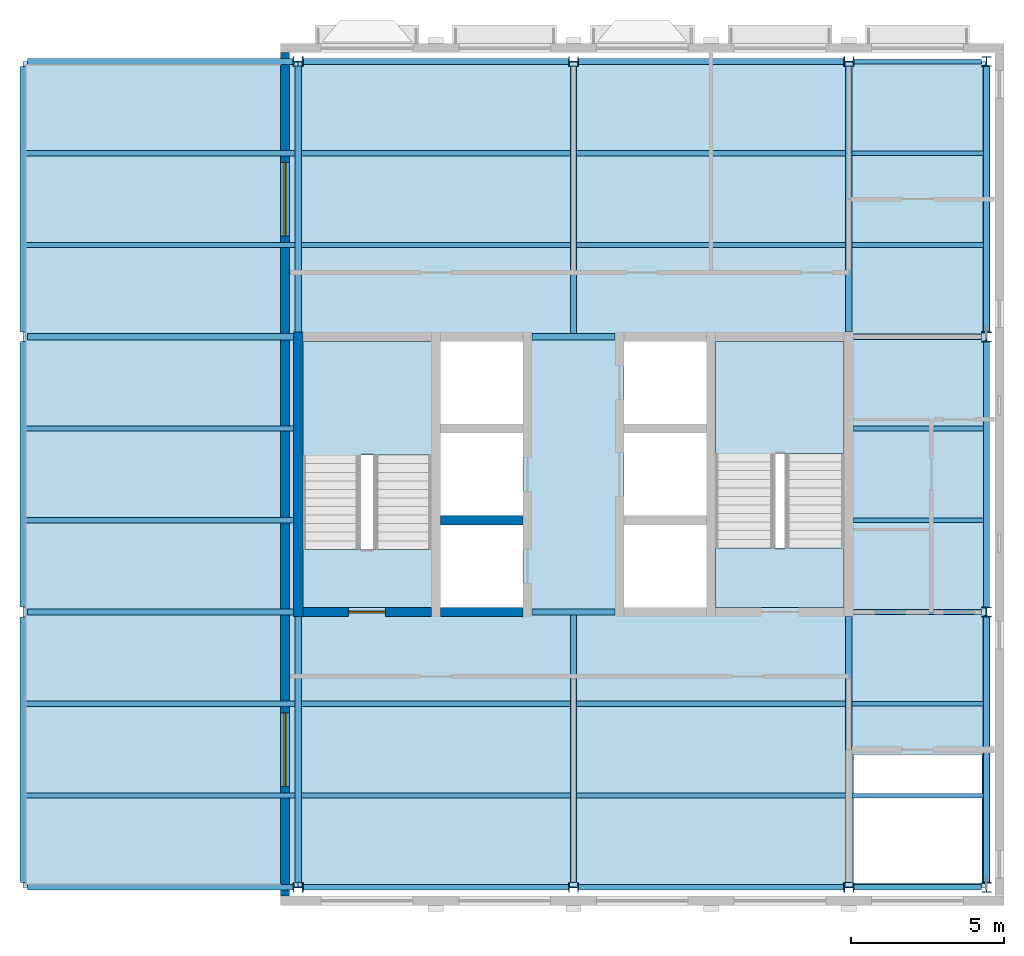
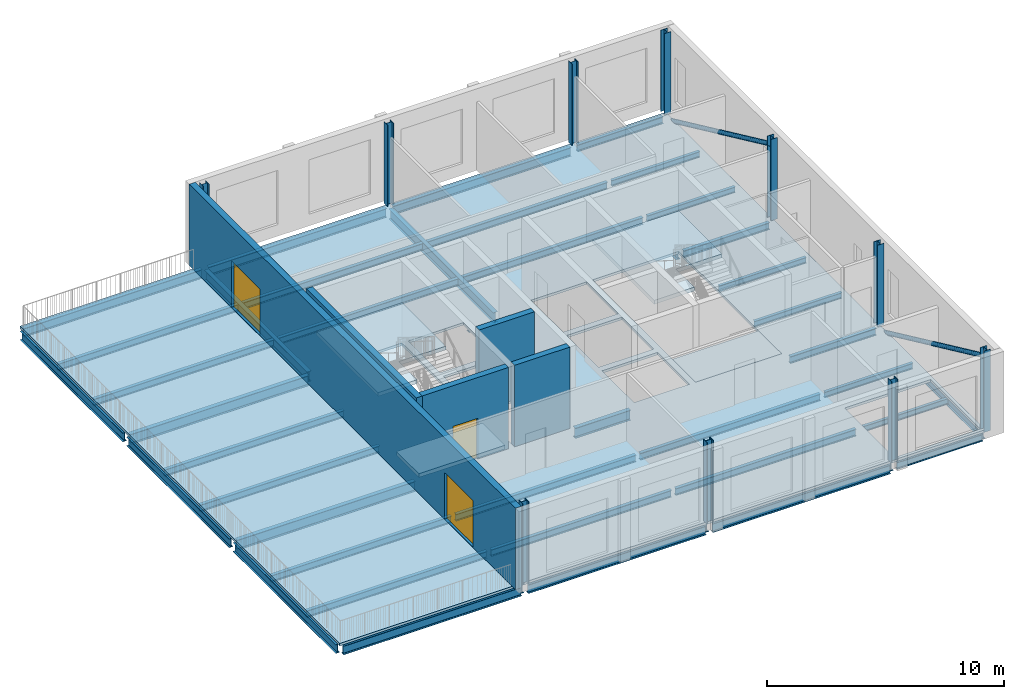
# One storey, part 1 of 7: 46 beams, 10 columns, 6 slabs, 5 walls, 3 doors, 2 members, 3 openings, 2 elements without a shape of their own.
"""IFC4 building model written with IfcOpenShell, lengths in metres."""

from ifc_helpers import new_model, si_unit, direction, frame, frame_2d, origin, origin_2d, place, context, subcontext, project, spatial, polyline, rectangle, hollow_circle, i_section, outline, extrude, material, layer, layer_set, material_profile, profile_set, type_object, element, fill, aggregate, save


model = new_model("IFC4")

# Units and contexts
model_context = context("Model", 3, precision=1e-05, world=origin(), true_north=direction((0.0, 1.0)))
body_context = subcontext(model_context, "Body", "Model", "MODEL_VIEW")
ifc_project = project(units=[si_unit("LENGTHUNIT", "METRE"), si_unit("AREAUNIT", "SQUARE_METRE"), si_unit("VOLUMEUNIT", "CUBIC_METRE"), si_unit("PLANEANGLEUNIT", "RADIAN"), si_unit("MASSUNIT", "GRAM", prefix="KILO")], contexts=[model_context])

# Site, building, storey
site_placement = place(None, origin())
site = spatial("IfcSite", under=ifc_project, at=site_placement, CompositionType="ELEMENT")
building_placement = place(site_placement, origin())
building = spatial("IfcBuilding", under=site, at=building_placement, Name="Hortulan Conservatory and Botanical Research Centre", CompositionType="ELEMENT")
storey_placement = place(building_placement, frame((0.0, 0.0, 61.199951171875)))
storey = spatial("IfcBuildingStorey", under=building, at=storey_placement, Name="L14", CompositionType="ELEMENT", Elevation=61.199951171875)

# Columns
ifc_material_1 = material(Name="Steel Grade 300PLUS (AS/NZS 3679.1, 280 MPa minimum yield)", Category="steel")
ifc_material_profile_1 = material_profile(ifc_material_1, i_section(OverallWidth=0.30908203125, OverallDepth=0.321044921875, WebThickness=0.013916015625, FlangeThickness=0.021728515625, FilletRadius=0.0166015625, at=origin_2d()), Name="310UC137")
ifc_profile_set_1 = profile_set([ifc_material_profile_1], Name="Steel Grade 300PLUS (AS/NZS 3679.1, 280 MPa minimum yield)")
column_type = type_object("IfcColumnType", Name="Tower Column 310UC137", PredefinedType="COLUMN", material=ifc_profile_set_1)
for number, where, z_axis, x_axis, name in (
    (1, (9.0, 0.0, 0.0), (0.0, 0.0, 1.0), (0.0, 1.0, 0.0), "310UC137 column"),
    (2, (9.0, 27.0, 0.0), (0.0, 0.0, 1.0), (0.0, 1.0, 0.0), "310UC137 column"),
    (3, (18.0, 0.0, 0.0), (0.0, 0.0, 1.0), (0.0, 1.0, 0.0), "310UC137 column"),
    (4, (18.0, 27.0, 0.0), (0.0, 0.0, 1.0), (0.0, 1.0, 0.0), "310UC137 column"),
    (5, (27.0, 0.0, 0.0), (0.0, 0.0, 1.0), (0.0, 1.0, 0.0), "310UC137 column"),
    (6, (27.0, 27.0, 0.0), (0.0, 0.0, 1.0), (0.0, 1.0, 0.0), "310UC137 column"),
    (7, (31.5, 0.0, 0.0), (0.0, 0.0, 1.0), (1.0, 0.0, 0.0), "310UC137 column"),
    (8, (31.5, 9.0, 0.0), (0.0, 0.0, 1.0), (1.0, 0.0, 0.0), "310UC137 column"),
    (9, (31.5, 18.0, 0.0), (0.0, 0.0, 1.0), (1.0, 0.0, 0.0), "310UC137 column"),
    (10, (31.5, 27.0, 0.0), (0.0, 0.0, 1.0), (1.0, 0.0, 0.0), "310UC137 column"),
):
    element("IfcColumn", number, at=place(storey_placement, frame(where, z_axis=z_axis, x_axis=x_axis)), inside=storey, type_object=column_type, Name=name, PredefinedType="COLUMN", context=body_context, shape_type="SweptSolid", body=[
        extrude(i_section(OverallWidth=0.30908203125, OverallDepth=0.321044921875, WebThickness=0.013916015625, FlangeThickness=0.021728515625, FilletRadius=0.0166015625, at=origin_2d()), origin(), (0.0, 0.0, 1.0), 4.199951171875),
    ])

# Members
ifc_material_2 = material(Name="Steel Grade C350L0 (350 MPa, AS/NZS 1163)", Category="steel")
ifc_material_profile_2 = material_profile(ifc_material_2, hollow_circle(Radius=0.109619140625, WallThickness=0.00830078125, at=origin_2d()), Name="219.1x8.2CHS")
ifc_profile_set_2 = profile_set([ifc_material_profile_2], Name="Steel Grade C350L0 (350 MPa, AS/NZS 1163)")
member_type = type_object("IfcMemberType", Name="Brace 219.1x8.2CHS", PredefinedType="BRACE", material=ifc_profile_set_2)
for number, where, z_axis, x_axis, name in (
    (11, (31.5, 8.839599609375, -0.2841796875), (0.0, -0.907557726356, 0.41992734292), (1.0, 0.0, 0.0), "219.1x8.2CHS brace"),
    (12, (31.5, 26.839599609375, -0.2841796875), (0.0, -0.907557726356, 0.41992734292), (1.0, 0.0, 0.0), "219.1x8.2CHS brace"),
):
    element("IfcMember", number, at=place(storey_placement, frame(where, z_axis=z_axis, x_axis=x_axis)), inside=storey, type_object=member_type, Name=name, PredefinedType="BRACE", context=body_context, shape_type="SweptSolid", body=[
        extrude(hollow_circle(Radius=0.109619140625, WallThickness=0.00830078125, at=origin_2d()), origin(), (0.0, 0.0, 1.0), 9.563232421875),
    ])

# Beams
ifc_material_profile_3 = material_profile(ifc_material_1, i_section(OverallWidth=0.1708984375, OverallDepth=0.35595703125, WebThickness=0.00732421875, FlangeThickness=0.011474609375, FilletRadius=0.011474609375, at=origin_2d()), Name="360UB50.7")
ifc_profile_set_3 = profile_set([ifc_material_profile_3], Name="Steel Grade 300PLUS (AS/NZS 3679.1, 280 MPa minimum yield)")
beam_type_1 = type_object("IfcBeamType", Name="Primary Beam 360UB50.7", PredefinedType="BEAM", material=ifc_profile_set_3)
for number, where, z_axis, x_axis, name in (
    (13, (27.160400390625, 0.0, -0.307861328125), (1.0, 0.0, 0.0), (0.0, 1.0, 0.0), "360UB50.7 girder"),
    (14, (27.160400390625, 27.0, -0.307861328125), (1.0, 0.0, 0.0), (0.0, 1.0, 0.0), "360UB50.7 girder"),
):
    element("IfcBeam", number, at=place(storey_placement, frame(where, z_axis=z_axis, x_axis=x_axis)), inside=storey, type_object=beam_type_1, Name=name, PredefinedType="BEAM", context=body_context, shape_type="SweptSolid", body=[
        extrude(i_section(OverallWidth=0.1708984375, OverallDepth=0.35595703125, WebThickness=0.00732421875, FlangeThickness=0.011474609375, FilletRadius=0.011474609375, at=origin_2d()), origin(), (0.0, 0.0, 1.0), 4.18505859375),
    ])
for number, where, z_axis, x_axis, name in (
    (15, (27.14990234375, 9.0, -0.307861328125), (1.0, 0.0, 0.0), (0.0, 1.0, 0.0), "360UB50.7 girder"),
    (16, (27.14990234375, 18.0, -0.307861328125), (1.0, 0.0, 0.0), (0.0, 1.0, 0.0), "360UB50.7 girder"),
):
    element("IfcBeam", number, at=place(storey_placement, frame(where, z_axis=z_axis, x_axis=x_axis)), inside=storey, type_object=beam_type_1, Name=name, PredefinedType="BEAM", context=body_context, shape_type="SweptSolid", body=[
        extrude(i_section(OverallWidth=0.1708984375, OverallDepth=0.35595703125, WebThickness=0.00732421875, FlangeThickness=0.011474609375, FilletRadius=0.011474609375, at=origin_2d()), origin(), (0.0, 0.0, 1.0), 4.195556640625),
    ])
ifc_material_profile_4 = material_profile(ifc_material_1, i_section(OverallWidth=0.18994140625, OverallDepth=0.45703125, WebThickness=0.009033203125, FlangeThickness=0.014404296875, FilletRadius=0.011474609375, at=origin_2d()), Name="460UB74.6")
ifc_profile_set_4 = profile_set([ifc_material_profile_4], Name="Steel Grade 300PLUS (AS/NZS 3679.1, 280 MPa minimum yield)")
beam_type_2 = type_object("IfcBeamType", Name="Primary Beam 460UB74.6", PredefinedType="BEAM", material=ifc_profile_set_4)
beam_1_placement = place(storey_placement, frame((0.0, 0.160400390625, -0.3583984375), z_axis=(0.0, 1.0, 0.0), x_axis=(-1.0, 0.0, 0.0)))
element("IfcBeam", 17, at=beam_1_placement, inside=storey, type_object=beam_type_2, Name="460UB74.6 girder", PredefinedType="BEAM", context=body_context, shape_type="SweptSolid", body=[
    extrude(i_section(OverallWidth=0.18994140625, OverallDepth=0.45703125, WebThickness=0.009033203125, FlangeThickness=0.014404296875, FilletRadius=0.011474609375, at=origin_2d()), origin(), (0.0, 0.0, 1.0), 8.67919921875),
])
beam_2_placement = place(storey_placement, frame((0.154541015625, 0.0, -0.3583984375), z_axis=(1.0, 0.0, 0.0), x_axis=(0.0, 1.0, 0.0)))
element("IfcBeam", 18, at=beam_2_placement, inside=storey, type_object=beam_type_2, Name="460UB74.6 girder", PredefinedType="BEAM", context=body_context, shape_type="SweptSolid", body=[
    extrude(i_section(OverallWidth=0.18994140625, OverallDepth=0.45703125, WebThickness=0.009033203125, FlangeThickness=0.014404296875, FilletRadius=0.011474609375, at=origin_2d()), origin(), (0.0, 0.0, 1.0), 8.68505859375),
])
for number, where, z_axis, x_axis, name in (
    (19, (0.0, 9.160400390625, -0.3583984375), (0.0, 1.0, 0.0), (-1.0, 0.0, 0.0), "460UB74.6 girder"),
    (20, (0.0, 18.160400390625, -0.3583984375), (0.0, 1.0, 0.0), (-1.0, 0.0, 0.0), "460UB74.6 girder"),
):
    element("IfcBeam", number, at=place(storey_placement, frame(where, z_axis=z_axis, x_axis=x_axis)), inside=storey, type_object=beam_type_2, Name=name, PredefinedType="BEAM", context=body_context, shape_type="SweptSolid", body=[
        extrude(i_section(OverallWidth=0.18994140625, OverallDepth=0.45703125, WebThickness=0.009033203125, FlangeThickness=0.014404296875, FilletRadius=0.011474609375, at=origin_2d()), origin(), (0.0, 0.0, 1.0), 8.67919921875),
    ])
beam_3_placement = place(storey_placement, frame((0.154541015625, 27.0, -0.3583984375), z_axis=(1.0, 0.0, 0.0), x_axis=(0.0, 1.0, 0.0)))
element("IfcBeam", 21, at=beam_3_placement, inside=storey, type_object=beam_type_2, Name="460UB74.6 girder", PredefinedType="BEAM", context=body_context, shape_type="SweptSolid", body=[
    extrude(i_section(OverallWidth=0.18994140625, OverallDepth=0.45703125, WebThickness=0.009033203125, FlangeThickness=0.014404296875, FilletRadius=0.011474609375, at=origin_2d()), origin(), (0.0, 0.0, 1.0), 8.68505859375),
])
for number, where, z_axis, x_axis, name in (
    (22, (9.160400390625, 0.0, -0.3583984375), (1.0, 0.0, 0.0), (0.0, 1.0, 0.0), "460UB74.6 girder"),
    (23, (9.160400390625, 27.0, -0.3583984375), (1.0, 0.0, 0.0), (0.0, 1.0, 0.0), "460UB74.6 girder"),
    (24, (18.160400390625, 0.0, -0.3583984375), (1.0, 0.0, 0.0), (0.0, 1.0, 0.0), "460UB74.6 girder"),
    (25, (18.160400390625, 27.0, -0.3583984375), (1.0, 0.0, 0.0), (0.0, 1.0, 0.0), "460UB74.6 girder"),
    (26, (31.5, 0.160400390625, -0.3583984375), (0.0, 1.0, 0.0), (-1.0, 0.0, 0.0), "460UB74.6 girder"),
    (27, (31.5, 9.160400390625, -0.3583984375), (0.0, 1.0, 0.0), (-1.0, 0.0, 0.0), "460UB74.6 girder"),
    (28, (31.5, 18.160400390625, -0.3583984375), (0.0, 1.0, 0.0), (-1.0, 0.0, 0.0), "460UB74.6 girder"),
):
    element("IfcBeam", number, at=place(storey_placement, frame(where, z_axis=z_axis, x_axis=x_axis)), inside=storey, type_object=beam_type_2, Name=name, PredefinedType="BEAM", context=body_context, shape_type="SweptSolid", body=[
        extrude(i_section(OverallWidth=0.18994140625, OverallDepth=0.45703125, WebThickness=0.009033203125, FlangeThickness=0.014404296875, FilletRadius=0.011474609375, at=origin_2d()), origin(), (0.0, 0.0, 1.0), 8.67919921875),
    ])
ifc_material_profile_5 = material_profile(ifc_material_1, i_section(OverallWidth=0.208984375, OverallDepth=0.528076171875, WebThickness=0.009521484375, FlangeThickness=0.01318359375, FilletRadius=0.013916015625, at=origin_2d()), Name="530UB82.0")
ifc_profile_set_5 = profile_set([ifc_material_profile_5], Name="Steel Grade 300PLUS (AS/NZS 3679.1, 280 MPa minimum yield)")
beam_type_3 = type_object("IfcBeamType", Name="Primary Beam 530UB82.0", PredefinedType="BEAM", material=ifc_profile_set_5)
for number, where, z_axis, x_axis, name in (
    (29, (0.154541015625, 9.0, -0.39404296875), (1.0, 0.0, 0.0), (0.0, 1.0, 0.0), "530UB82.0 girder"),
    (30, (0.154541015625, 18.0, -0.39404296875), (1.0, 0.0, 0.0), (0.0, 1.0, 0.0), "530UB82.0 girder"),
    (31, (9.0, 0.154541015625, -0.39404296875), (0.0, 1.0, 0.0), (-1.0, 0.0, 0.0), "530UB82.0 girder"),
    (32, (9.0, 18.14990234375, -0.39404296875), (0.0, 1.0, 0.0), (-1.0, 0.0, 0.0), "530UB82.0 girder"),
):
    element("IfcBeam", number, at=place(storey_placement, frame(where, z_axis=z_axis, x_axis=x_axis)), inside=storey, type_object=beam_type_3, Name=name, PredefinedType="BEAM", context=body_context, shape_type="SweptSolid", body=[
        extrude(i_section(OverallWidth=0.208984375, OverallDepth=0.528076171875, WebThickness=0.009521484375, FlangeThickness=0.01318359375, FilletRadius=0.013916015625, at=origin_2d()), origin(), (0.0, 0.0, 1.0), 8.695556640625),
    ])
for number, where, z_axis, x_axis, name in (
    (33, (16.64990234375, 9.0, -0.39404296875), (1.0, 0.0, 0.0), (0.0, 1.0, 0.0), "530UB82.0 girder"),
    (34, (16.64990234375, 18.0, -0.39404296875), (1.0, 0.0, 0.0), (0.0, 1.0, 0.0), "530UB82.0 girder"),
):
    element("IfcBeam", number, at=place(storey_placement, frame(where, z_axis=z_axis, x_axis=x_axis)), inside=storey, type_object=beam_type_3, Name=name, PredefinedType="BEAM", context=body_context, shape_type="SweptSolid", body=[
        extrude(i_section(OverallWidth=0.208984375, OverallDepth=0.528076171875, WebThickness=0.009521484375, FlangeThickness=0.01318359375, FilletRadius=0.013916015625, at=origin_2d()), origin(), (0.0, 0.0, 1.0), 2.7001953125),
    ])
for number, where, z_axis, x_axis, name in (
    (35, (18.0, 0.154541015625, -0.39404296875), (0.0, 1.0, 0.0), (-1.0, 0.0, 0.0), "530UB82.0 girder"),
    (36, (18.0, 18.0, -0.39404296875), (0.0, 1.0, 0.0), (-1.0, 0.0, 0.0), "530UB82.0 girder"),
):
    element("IfcBeam", number, at=place(storey_placement, frame(where, z_axis=z_axis, x_axis=x_axis)), inside=storey, type_object=beam_type_3, Name=name, PredefinedType="BEAM", context=body_context, shape_type="SweptSolid", body=[
        extrude(i_section(OverallWidth=0.208984375, OverallDepth=0.528076171875, WebThickness=0.009521484375, FlangeThickness=0.01318359375, FilletRadius=0.013916015625, at=origin_2d()), origin(), (0.0, 0.0, 1.0), 8.845458984375),
    ])
for number, where, z_axis, x_axis, name in (
    (37, (27.0, 0.154541015625, -0.39404296875), (0.0, 1.0, 0.0), (-1.0, 0.0, 0.0), "530UB82.0 girder"),
    (38, (27.0, 18.14990234375, -0.39404296875), (0.0, 1.0, 0.0), (-1.0, 0.0, 0.0), "530UB82.0 girder"),
):
    element("IfcBeam", number, at=place(storey_placement, frame(where, z_axis=z_axis, x_axis=x_axis)), inside=storey, type_object=beam_type_3, Name=name, PredefinedType="BEAM", context=body_context, shape_type="SweptSolid", body=[
        extrude(i_section(OverallWidth=0.208984375, OverallDepth=0.528076171875, WebThickness=0.009521484375, FlangeThickness=0.01318359375, FilletRadius=0.013916015625, at=origin_2d()), origin(), (0.0, 0.0, 1.0), 8.695556640625),
    ])
ifc_material_profile_6 = material_profile(ifc_material_1, i_section(OverallWidth=0.14892578125, OverallDepth=0.298095703125, WebThickness=0.005615234375, FlangeThickness=0.008056640625, FilletRadius=0.012939453125, at=origin_2d()), Name="310UB32.0")
ifc_profile_set_6 = profile_set([ifc_material_profile_6], Name="Steel Grade 300PLUS (AS/NZS 3679.1, 280 MPa minimum yield)")
beam_type_4 = type_object("IfcBeamType", Name="Secondary Beam 310UB32.0", PredefinedType="JOIST", material=ifc_profile_set_6)
for number, where, z_axis, x_axis, name in (
    (39, (27.1044921875, 3.0, -0.279052734375), (1.0, 0.0, 0.0), (0.0, 1.0, 0.0), "310UB32.0 secondary beam"),
    (40, (27.1044921875, 6.0, -0.279052734375), (1.0, 0.0, 0.0), (0.0, 1.0, 0.0), "310UB32.0 secondary beam"),
):
    element("IfcBeam", number, at=place(storey_placement, frame(where, z_axis=z_axis, x_axis=x_axis)), inside=storey, type_object=beam_type_4, Name=name, PredefinedType="JOIST", context=body_context, shape_type="SweptSolid", body=[
        extrude(i_section(OverallWidth=0.14892578125, OverallDepth=0.298095703125, WebThickness=0.005615234375, FlangeThickness=0.008056640625, FilletRadius=0.012939453125, at=origin_2d()), origin(), (0.0, 0.0, 1.0), 4.300537109375),
    ])
for number, where, z_axis, x_axis, name in (
    (41, (27.14990234375, 12.0, -0.279052734375), (1.0, 0.0, 0.0), (0.0, 1.0, 0.0), "310UB32.0 secondary beam"),
    (42, (27.14990234375, 15.0, -0.279052734375), (1.0, 0.0, 0.0), (0.0, 1.0, 0.0), "310UB32.0 secondary beam"),
):
    element("IfcBeam", number, at=place(storey_placement, frame(where, z_axis=z_axis, x_axis=x_axis)), inside=storey, type_object=beam_type_4, Name=name, PredefinedType="JOIST", context=body_context, shape_type="SweptSolid", body=[
        extrude(i_section(OverallWidth=0.14892578125, OverallDepth=0.298095703125, WebThickness=0.005615234375, FlangeThickness=0.008056640625, FilletRadius=0.012939453125, at=origin_2d()), origin(), (0.0, 0.0, 1.0), 4.255126953125),
    ])
for number, where, z_axis, x_axis, name in (
    (43, (27.1044921875, 21.0, -0.279052734375), (1.0, 0.0, 0.0), (0.0, 1.0, 0.0), "310UB32.0 secondary beam"),
    (44, (27.1044921875, 24.0, -0.279052734375), (1.0, 0.0, 0.0), (0.0, 1.0, 0.0), "310UB32.0 secondary beam"),
):
    element("IfcBeam", number, at=place(storey_placement, frame(where, z_axis=z_axis, x_axis=x_axis)), inside=storey, type_object=beam_type_4, Name=name, PredefinedType="JOIST", context=body_context, shape_type="SweptSolid", body=[
        extrude(i_section(OverallWidth=0.14892578125, OverallDepth=0.298095703125, WebThickness=0.005615234375, FlangeThickness=0.008056640625, FilletRadius=0.012939453125, at=origin_2d()), origin(), (0.0, 0.0, 1.0), 4.300537109375),
    ])
ifc_material_profile_7 = material_profile(ifc_material_1, i_section(OverallWidth=0.1708984375, OverallDepth=0.35595703125, WebThickness=0.00732421875, FlangeThickness=0.011474609375, FilletRadius=0.011474609375, at=origin_2d()), Name="360UB50.7")
ifc_profile_set_7 = profile_set([ifc_material_profile_7], Name="Steel Grade 300PLUS (AS/NZS 3679.1, 280 MPa minimum yield)")
beam_type_5 = type_object("IfcBeamType", Name="Secondary Beam 360UB50.7", PredefinedType="JOIST", material=ifc_profile_set_7)
for number, where, z_axis, x_axis, name in (
    (45, (0.094970703125, 3.0, -0.307861328125), (1.0, 0.0, 0.0), (0.0, 1.0, 0.0), "360UB50.7 secondary beam"),
    (46, (0.094970703125, 6.0, -0.307861328125), (1.0, 0.0, 0.0), (0.0, 1.0, 0.0), "360UB50.7 secondary beam"),
):
    element("IfcBeam", number, at=place(storey_placement, frame(where, z_axis=z_axis, x_axis=x_axis)), inside=storey, type_object=beam_type_5, Name=name, PredefinedType="JOIST", context=body_context, shape_type="SweptSolid", body=[
        extrude(i_section(OverallWidth=0.1708984375, OverallDepth=0.35595703125, WebThickness=0.00732421875, FlangeThickness=0.011474609375, FilletRadius=0.011474609375, at=origin_2d()), origin(), (0.0, 0.0, 1.0), 8.800537109375),
    ])
for number, where, z_axis, x_axis, name in (
    (47, (0.094970703125, 12.0, -0.307861328125), (1.0, 0.0, 0.0), (0.0, 1.0, 0.0), "360UB50.7 secondary beam"),
    (48, (0.094970703125, 15.0, -0.307861328125), (1.0, 0.0, 0.0), (0.0, 1.0, 0.0), "360UB50.7 secondary beam"),
):
    element("IfcBeam", number, at=place(storey_placement, frame(where, z_axis=z_axis, x_axis=x_axis)), inside=storey, type_object=beam_type_5, Name=name, PredefinedType="JOIST", context=body_context, shape_type="SweptSolid", body=[
        extrude(i_section(OverallWidth=0.1708984375, OverallDepth=0.35595703125, WebThickness=0.00732421875, FlangeThickness=0.011474609375, FilletRadius=0.011474609375, at=origin_2d()), origin(), (0.0, 0.0, 1.0), 8.755126953125),
    ])
for number, where, z_axis, x_axis, name in (
    (49, (0.094970703125, 21.0, -0.307861328125), (1.0, 0.0, 0.0), (0.0, 1.0, 0.0), "360UB50.7 secondary beam"),
    (50, (0.094970703125, 24.0, -0.307861328125), (1.0, 0.0, 0.0), (0.0, 1.0, 0.0), "360UB50.7 secondary beam"),
):
    element("IfcBeam", number, at=place(storey_placement, frame(where, z_axis=z_axis, x_axis=x_axis)), inside=storey, type_object=beam_type_5, Name=name, PredefinedType="JOIST", context=body_context, shape_type="SweptSolid", body=[
        extrude(i_section(OverallWidth=0.1708984375, OverallDepth=0.35595703125, WebThickness=0.00732421875, FlangeThickness=0.011474609375, FilletRadius=0.011474609375, at=origin_2d()), origin(), (0.0, 0.0, 1.0), 8.800537109375),
    ])
for number, where, z_axis, x_axis, name in (
    (51, (9.1044921875, 3.0, -0.307861328125), (1.0, 0.0, 0.0), (0.0, 1.0, 0.0), "360UB50.7 secondary beam"),
    (52, (9.1044921875, 6.0, -0.307861328125), (1.0, 0.0, 0.0), (0.0, 1.0, 0.0), "360UB50.7 secondary beam"),
    (53, (9.1044921875, 21.0, -0.307861328125), (1.0, 0.0, 0.0), (0.0, 1.0, 0.0), "360UB50.7 secondary beam"),
    (54, (9.1044921875, 24.0, -0.307861328125), (1.0, 0.0, 0.0), (0.0, 1.0, 0.0), "360UB50.7 secondary beam"),
    (55, (18.1044921875, 3.0, -0.307861328125), (1.0, 0.0, 0.0), (0.0, 1.0, 0.0), "360UB50.7 secondary beam"),
    (56, (18.1044921875, 6.0, -0.307861328125), (1.0, 0.0, 0.0), (0.0, 1.0, 0.0), "360UB50.7 secondary beam"),
    (57, (18.1044921875, 21.0, -0.307861328125), (1.0, 0.0, 0.0), (0.0, 1.0, 0.0), "360UB50.7 secondary beam"),
    (58, (18.1044921875, 24.0, -0.307861328125), (1.0, 0.0, 0.0), (0.0, 1.0, 0.0), "360UB50.7 secondary beam"),
):
    element("IfcBeam", number, at=place(storey_placement, frame(where, z_axis=z_axis, x_axis=x_axis)), inside=storey, type_object=beam_type_5, Name=name, PredefinedType="JOIST", context=body_context, shape_type="SweptSolid", body=[
        extrude(i_section(OverallWidth=0.1708984375, OverallDepth=0.35595703125, WebThickness=0.00732421875, FlangeThickness=0.011474609375, FilletRadius=0.011474609375, at=origin_2d()), origin(), (0.0, 0.0, 1.0), 8.791015625),
    ])

# Slab
ifc_material_3 = material(Name="Concrete N32 (32 MPa, AS 3600)", Category="concrete")
ifc_layer_1 = layer(ifc_material_3, 0.1298828125)
ifc_layer_set_1 = layer_set([ifc_layer_1], Name="Composite Floor Slab 130")
slab_type_1 = type_object("IfcSlabType", Name="Composite Floor Slab 130", PredefinedType="FLOOR", material=ifc_layer_set_1)
slab_1_placement = place(storey_placement, frame((0.0, 0.0, -0.1298828125)))
element("IfcSlab", 59, at=slab_1_placement, inside=storey, type_object=slab_type_1, Name="Floor slab", PredefinedType="FLOOR", context=body_context, shape_type="SweptSolid", body=[
    extrude(outline(polyline([(31.5, 0.0), (31.5, 27.0), (9.0, 27.0), (9.0, 0.0), (31.5, 0.0)]), holes=[polyline([(27.14990234375, 4.35009765625), (27.14990234375, 0.14990234375), (31.35009765625, 0.14990234375), (31.35009765625, 4.35009765625), (27.14990234375, 4.35009765625)]), polyline([(13.64990234375, 11.85009765625), (13.64990234375, 9.14990234375), (16.35009765625, 9.14990234375), (16.35009765625, 11.85009765625), (13.64990234375, 11.85009765625)]), polyline([(19.64990234375, 11.85009765625), (19.64990234375, 9.14990234375), (22.35009765625, 9.14990234375), (22.35009765625, 11.85009765625), (19.64990234375, 11.85009765625)]), polyline([(9.14990234375, 17.85009765625), (9.14990234375, 9.14990234375), (13.35009765625, 9.14990234375), (13.35009765625, 17.85009765625), (9.14990234375, 17.85009765625)]), polyline([(13.64990234375, 14.85009765625), (13.64990234375, 12.14990234375), (16.35009765625, 12.14990234375), (16.35009765625, 14.85009765625), (13.64990234375, 14.85009765625)]), polyline([(19.64990234375, 14.85009765625), (19.64990234375, 12.14990234375), (22.35009765625, 12.14990234375), (22.35009765625, 14.85009765625), (19.64990234375, 14.85009765625)]), polyline([(22.64990234375, 17.85009765625), (22.64990234375, 9.14990234375), (26.85009765625, 9.14990234375), (26.85009765625, 17.85009765625), (22.64990234375, 17.85009765625)]), polyline([(16.35009765625, 17.85009765625), (13.64990234375, 17.85009765625), (13.64990234375, 15.14990234375), (16.35009765625, 15.14990234375), (16.35009765625, 17.85009765625)]), polyline([(22.35009765625, 17.85009765625), (19.64990234375, 17.85009765625), (19.64990234375, 15.14990234375), (22.35009765625, 15.14990234375), (22.35009765625, 17.85009765625)])]), origin(), (0.0, 0.0, 1.0), 0.1298828125),
])

# Stair, slab
ifc_material_4 = material(Name="Concrete N40 (40 MPa, AS 3600)", Category="concrete")
stair_type_1 = type_object("IfcStairType", Name="Concrete Escape Stair 1900", PredefinedType="HALF_TURN_STAIR", material=ifc_material_4)
stair_1_placement = place(storey_placement, origin())
stair_1 = element("IfcStair", 60, at=stair_1_placement, inside=storey, type_object=stair_type_1, Name="Stair T1 L14", PredefinedType="HALF_TURN_STAIR")
ifc_layer_2 = layer(ifc_material_4, 0.199951171875)
ifc_layer_set_2 = layer_set([ifc_layer_2], Name="Stair Landing 200")
slab_type_2 = type_object("IfcSlabType", Name="Stair Landing 200", PredefinedType="LANDING", material=ifc_layer_set_2)
slab_2_placement = place(storey_placement, frame((0.0, 0.0, 1.900146484375)))
slab_2 = element("IfcSlab", 61, at=slab_2_placement, type_object=slab_type_2, Name="Stair T1 L14 half landing 1", PredefinedType="LANDING", context=body_context, shape_type="SweptSolid", body=[
    extrude(outline(polyline([(13.35009765625, 14.12939453125), (11.050048828125, 14.12939453125), (11.050048828125, 12.590087890625), (9.14990234375, 12.590087890625), (9.14990234375, 14.12939453125), (9.14990234375, 14.1298828125), (9.14990234375, 14.139892578125), (9.14990234375, 17.85009765625), (13.35009765625, 17.85009765625), (13.35009765625, 14.139892578125), (13.35009765625, 14.1298828125), (13.35009765625, 14.12939453125)])), origin(), (0.0, 0.0, 1.0), 0.199951171875),
])
aggregate(stair_1, [slab_2])

# Slab
slab_3_placement = place(storey_placement, frame((0.0, 0.0, -0.199951171875)))
element("IfcSlab", 62, at=slab_3_placement, inside=storey, type_object=slab_type_2, Name="Stair T1 floor landing L14", PredefinedType="LANDING", context=body_context, shape_type="SweptSolid", body=[
    extrude(outline(polyline([(13.35009765625, 9.14990234375), (9.14990234375, 9.14990234375), (9.14990234375, 11.050048828125), (13.35009765625, 11.050048828125), (13.35009765625, 9.14990234375)])), origin(), (0.0, 0.0, 1.0), 0.199951171875),
])

# Stair, slab
stair_type_2 = type_object("IfcStairType", Name="Concrete Escape Stair 1950", PredefinedType="HALF_TURN_STAIR", material=ifc_material_4)
stair_2_placement = place(storey_placement, origin())
stair_2 = element("IfcStair", 63, at=stair_2_placement, inside=storey, type_object=stair_type_2, Name="Stair T2 L14", PredefinedType="HALF_TURN_STAIR")
slab_4_placement = place(storey_placement, frame((0.0, 0.0, 1.900146484375)))
slab_4 = element("IfcSlab", 64, at=slab_4_placement, type_object=slab_type_2, Name="Stair T2 L14 half landing 1", PredefinedType="LANDING", context=body_context, shape_type="SweptSolid", body=[
    extrude(outline(polyline([(26.85009765625, 14.179443359375), (24.60009765625, 14.179443359375), (24.60009765625, 12.639892578125), (22.64990234375, 12.639892578125), (22.64990234375, 14.179443359375), (22.64990234375, 14.179931640625), (22.64990234375, 14.18994140625), (22.64990234375, 17.85009765625), (26.85009765625, 17.85009765625), (26.85009765625, 14.18994140625), (26.85009765625, 14.179931640625), (26.85009765625, 14.179443359375)])), origin(), (0.0, 0.0, 1.0), 0.199951171875),
])
aggregate(stair_2, [slab_4])

# Slabs
slab_5_placement = place(storey_placement, frame((0.0, 0.0, -0.199951171875)))
element("IfcSlab", 65, at=slab_5_placement, inside=storey, type_object=slab_type_2, Name="Stair T2 floor landing L14", PredefinedType="LANDING", context=body_context, shape_type="SweptSolid", body=[
    extrude(outline(polyline([(26.85009765625, 9.14990234375), (22.64990234375, 9.14990234375), (22.64990234375, 11.10009765625), (26.85009765625, 11.10009765625), (26.85009765625, 9.14990234375)])), origin(), (0.0, 0.0, 1.0), 0.199951171875),
])
ifc_layer_3 = layer(ifc_material_3, 0.1298828125)
ifc_layer_set_3 = layer_set([ifc_layer_3], Name="Terrace Slab 130")
slab_type_3 = type_object("IfcSlabType", Name="Terrace Slab 130", PredefinedType="ROOF", material=ifc_layer_set_3)
slab_6_placement = place(storey_placement, frame((0.0, 0.0, -0.1298828125)))
element("IfcSlab", 66, at=slab_6_placement, inside=storey, type_object=slab_type_3, Name="Terrace slab", PredefinedType="ROOF", context=body_context, shape_type="SweptSolid", body=[
    extrude(outline(polyline([(0.0, 0.0), (9.0, 0.0), (9.0, 27.0), (0.0, 27.0), (0.0, 0.0)])), origin(), (0.0, 0.0, 1.0), 0.1298828125),
])

# Wall
ifc_layer_4 = layer(ifc_material_4, 0.300048828125)
ifc_layer_set_4 = layer_set([ifc_layer_4], Name="Core Wall 300 N40 FRL 240/120/120")
wall_type_1 = type_object("IfcWallType", Name="Core Wall 300 N40 FRL 240/120/120", PredefinedType="SHEAR", material=ifc_layer_set_4)
wall_1_placement = place(storey_placement, frame((9.0, 8.85009765625, 0.0), z_axis=(0.0, 0.0, 1.0), x_axis=(0.0, 1.0, 0.0)))
element("IfcWall", 67, at=wall_1_placement, inside=storey, type_object=wall_type_1, Name="Reinforced concrete shaft wall", PredefinedType="SHEAR", context=body_context, shape_type="SweptSolid", body=[
    extrude(rectangle(XDim=9.2998046875, YDim=0.300048828125, at=frame_2d((4.64990234375, 0.0))), origin(), (0.0, 0.0, 1.0), 4.199951171875),
])

# Wall, opening, door
wall_2_placement = place(storey_placement, frame((9.14990234375, 9.0, 0.0), z_axis=(0.0, 0.0, 1.0), x_axis=(1.0, 0.0, 0.0)))
wall_2 = element("IfcWall", 68, at=wall_2_placement, inside=storey, type_object=wall_type_1, Name="Reinforced concrete shaft wall", PredefinedType="SHEAR", context=body_context, shape_type="SweptSolid", body=[
    extrude(rectangle(XDim=4.2001953125, YDim=0.300048828125, at=frame_2d((2.10009765625, 0.0))), origin(), (0.0, 0.0, 1.0), 4.199951171875),
])
opening_1_placement = place(wall_2_placement, frame((1.5, 0.0, 0.0)))
opening_1 = element("IfcOpeningElement", 69, at=opening_1_placement, cuts=wall_2, Name="Opening DT5", PredefinedType="OPENING", context=body_context, shape_type="SweptSolid", body=[
    extrude(rectangle(XDim=1.199951171875, YDim=2.10009765625, at=frame_2d((0.60009765625, 1.050048828125))), frame((0.0, 0.159912109375, 0.0), z_axis=(0.0, -1.0, 0.0), x_axis=(1.0, 0.0, 0.0)), (0.0, 0.0, 1.0), 0.320068359375),
])
ifc_material_5 = material(Name="Steel door leaf, insulated", Category="steel")
door_type_1 = type_object("IfcDoorType", Name="Stair Door 1200x2100 FRL -/120/30", OperationType="NOTDEFINED", PredefinedType="DOOR", material=ifc_material_5)
door_1_placement = place(opening_1_placement, origin())
door_1 = element("IfcDoor", 70, at=door_1_placement, inside=storey, type_object=door_type_1, Name="Door DT5 Exit Stair T1", OperationType="SINGLE_SWING_RIGHT", OverallHeight=2.10009765625, OverallWidth=1.199951171875, PredefinedType="DOOR", context=body_context, shape_type="SweptSolid", body=[
    extrude(rectangle(XDim=1.199951171875, YDim=2.10009765625, at=frame_2d((0.60009765625, 1.050048828125))), frame((0.0, 0.02490234375, 0.0), z_axis=(0.0, -1.0, 0.0), x_axis=(1.0, 0.0, 0.0)), (0.0, 0.0, 1.0), 0.050048828125),
])
fill(opening_1, door_1)

# Walls
for number, where, z_axis, x_axis, name in (
    (71, (13.64990234375, 9.0, 0.0), (0.0, 0.0, 1.0), (1.0, 0.0, 0.0), "Reinforced concrete shaft wall"),
    (72, (13.64990234375, 12.0, 0.0), (0.0, 0.0, 1.0), (1.0, 0.0, 0.0), "Reinforced concrete shaft wall"),
):
    element("IfcWall", number, at=place(storey_placement, frame(where, z_axis=z_axis, x_axis=x_axis)), inside=storey, type_object=wall_type_1, Name=name, PredefinedType="SHEAR", context=body_context, shape_type="SweptSolid", body=[
        extrude(rectangle(XDim=2.7001953125, YDim=0.300048828125, at=frame_2d((1.35009765625, 0.0))), origin(), (0.0, 0.0, 1.0), 4.199951171875),
    ])

# Wall, openings, doors
ifc_material_6 = material(Name="Verdigris copper-green zinc cladding on lightweight framing", Category="metal")
ifc_layer_5 = layer(ifc_material_6, 0.300048828125)
ifc_layer_set_5 = layer_set([ifc_layer_5], Name="Verdigris Zinc Clad Wall 300")
wall_type_2 = type_object("IfcWallType", Name="Verdigris Zinc Clad Wall 300", PredefinedType="STANDARD", material=ifc_layer_set_5)
wall_3_placement = place(storey_placement, frame((8.56396484375, -0.285888671875, 0.0), z_axis=(0.0, 0.0, 1.0), x_axis=(0.0, 1.0, 0.0)))
wall_3 = element("IfcWall", 73, at=wall_3_placement, inside=storey, type_object=wall_type_2, Name="E-EW-TW-L14-W2", PredefinedType="STANDARD", context=body_context, shape_type="SweptSolid", body=[
    extrude(rectangle(XDim=27.57177734375, YDim=0.300048828125, at=frame_2d((13.785888671875, 0.0))), origin(), (0.0, 0.0, 1.0), 4.199951171875),
])
opening_2_placement = place(wall_3_placement, frame((3.5859375, 0.0, 0.011962890625)))
opening_2 = element("IfcOpeningElement", 74, at=opening_2_placement, cuts=wall_3, Name="Opening ED6", PredefinedType="OPENING", context=body_context, shape_type="SweptSolid", body=[
    extrude(rectangle(XDim=2.39990234375, YDim=2.39990234375, at=frame_2d((1.199951171875, 1.199951171875))), frame((0.0, 0.159912109375, 0.0), z_axis=(0.0, -1.0, 0.0), x_axis=(1.0, 0.0, 0.0)), (0.0, 0.0, 1.0), 0.320068359375),
])
opening_3_placement = place(wall_3_placement, frame((21.5859375, 0.0, 0.011962890625)))
opening_3 = element("IfcOpeningElement", 75, at=opening_3_placement, cuts=wall_3, Name="Opening ED6", PredefinedType="OPENING", context=body_context, shape_type="SweptSolid", body=[
    extrude(rectangle(XDim=2.39990234375, YDim=2.39990234375, at=frame_2d((1.199951171875, 1.199951171875))), frame((0.0, 0.159912109375, 0.0), z_axis=(0.0, -1.0, 0.0), x_axis=(1.0, 0.0, 0.0)), (0.0, 0.0, 1.0), 0.320068359375),
])
ifc_material_7 = material(Name="Bronze and toughened laminated glass", Category="glass")
door_type_2 = type_object("IfcDoorType", Name="Terrace Door Pair 2400x2400", OperationType="DOUBLE_DOOR_DOUBLE_SWING", PredefinedType="DOOR", material=ifc_material_7)
door_2_placement = place(opening_2_placement, origin())
door_2 = element("IfcDoor", 76, at=door_2_placement, inside=storey, type_object=door_type_2, Name="Terrace door", OperationType="DOUBLE_DOOR_DOUBLE_SWING", OverallHeight=2.39990234375, OverallWidth=2.39990234375, PredefinedType="DOOR", context=body_context, shape_type="SweptSolid", body=[
    extrude(rectangle(XDim=2.39990234375, YDim=2.39990234375, at=frame_2d((1.199951171875, 1.199951171875))), frame((0.0, 0.02490234375, 0.0), z_axis=(0.0, -1.0, 0.0), x_axis=(1.0, 0.0, 0.0)), (0.0, 0.0, 1.0), 0.050048828125),
])
fill(opening_2, door_2)
door_3_placement = place(opening_3_placement, origin())
door_3 = element("IfcDoor", 77, at=door_3_placement, inside=storey, type_object=door_type_2, Name="Terrace door", OperationType="DOUBLE_DOOR_DOUBLE_SWING", OverallHeight=2.39990234375, OverallWidth=2.39990234375, PredefinedType="DOOR", context=body_context, shape_type="SweptSolid", body=[
    extrude(rectangle(XDim=2.39990234375, YDim=2.39990234375, at=frame_2d((1.199951171875, 1.199951171875))), frame((0.0, 0.02490234375, 0.0), z_axis=(0.0, -1.0, 0.0), x_axis=(1.0, 0.0, 0.0)), (0.0, 0.0, 1.0), 0.050048828125),
])
fill(opening_3, door_3)

save(model, "model.ifc")
